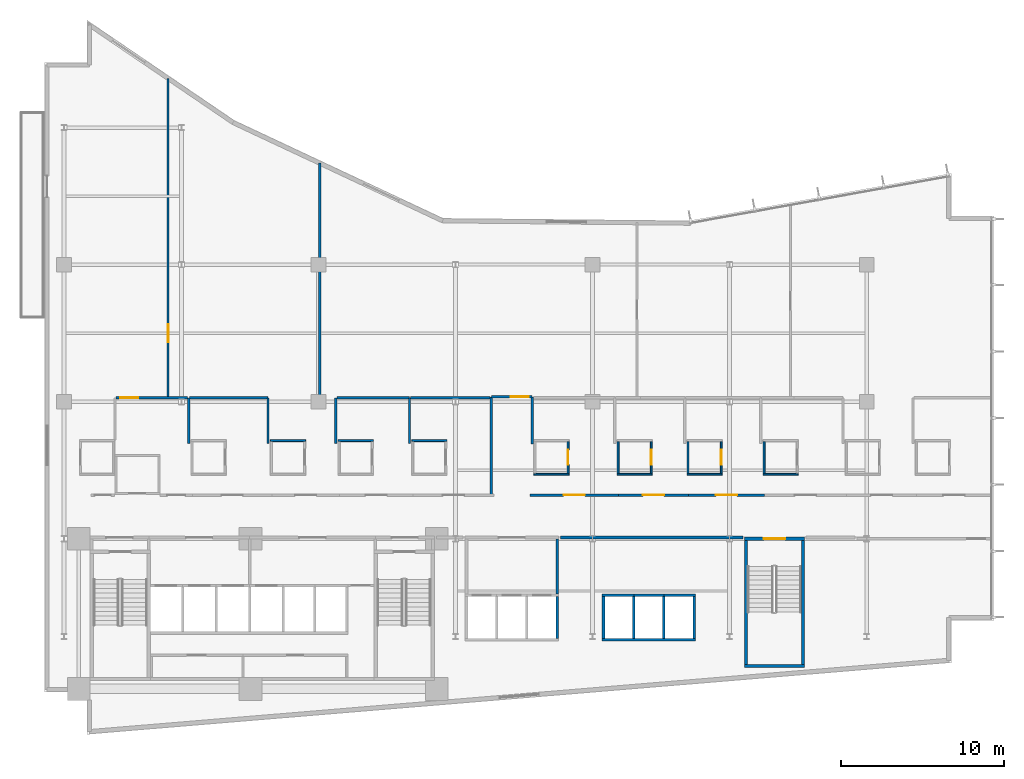
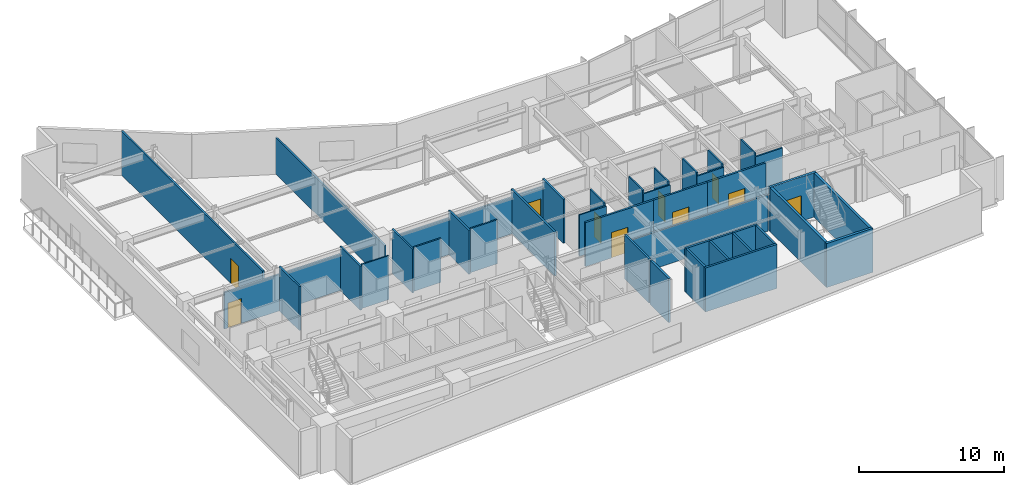
# One storey, part 14 of 21: 44 walls, 10 doors, 10 openings.
"""IFC4 building model written with IfcOpenShell, lengths in metres."""

from ifc_helpers import new_model, si_unit, direction, frame, frame_2d, origin, place, context, subcontext, project, spatial, rectangle, extrude, material, layer, layer_set, type_object, element, fill, save


model = new_model("IFC4")

# Units and contexts
model_context = context("Model", 3, precision=1e-05, world=origin(), true_north=direction((0.0, 1.0)))
body_context = subcontext(model_context, "Body", "Model", "MODEL_VIEW")
ifc_project = project(units=[si_unit("LENGTHUNIT", "METRE"), si_unit("AREAUNIT", "SQUARE_METRE"), si_unit("VOLUMEUNIT", "CUBIC_METRE"), si_unit("PLANEANGLEUNIT", "RADIAN"), si_unit("MASSUNIT", "GRAM", prefix="KILO")], contexts=[model_context])

# Site, building, storey
site_placement = place(None, origin())
site = spatial("IfcSite", under=ifc_project, at=site_placement, CompositionType="ELEMENT")
building_placement = place(site_placement, origin())
building = spatial("IfcBuilding", under=site, at=building_placement, Name="Varnakote Quay Hospital", CompositionType="ELEMENT")
storey_placement = place(building_placement, frame((0.0, 0.0, 34.35009765625)))
storey = spatial("IfcBuildingStorey", under=building, at=storey_placement, Name="L08", CompositionType="ELEMENT", Elevation=34.35009765625)

# Walls
ifc_material_1 = material(Name="Fire-rated acoustic gypsum stud wall", Category="gypsum")
ifc_layer_1 = layer(ifc_material_1, 0.159912109375)
ifc_layer_set_1 = layer_set([ifc_layer_1], Name="Fire-rated acoustic gypsum stud wall")
wall_type_1 = type_object("IfcWallType", Name="WL-COMP-160", PredefinedType="PARTITIONING", material=ifc_layer_set_1)
wall_1_placement = place(storey_placement, frame((31.429931640625, 8.610107421875, 0.0), z_axis=(0.0, 0.0, 1.0), x_axis=(0.0, 1.0, 0.0)))
element("IfcWall", 1, at=wall_1_placement, inside=storey, type_object=wall_type_1, Name="L08 Low-Rise Lift Lobby East Wall", PredefinedType="PARTITIONING", context=body_context, shape_type="SweptSolid", body=[
    extrude(rectangle(XDim=3.389892578125, YDim=0.159912109375, at=frame_2d((1.69482421875, 0.0))), origin(), (0.0, 0.0, 1.0), 3.7099609375),
])
wall_2_placement = place(storey_placement, frame((31.6298828125, 12.080078125, 0.0), z_axis=(0.0, 0.0, 1.0), x_axis=(1.0, 0.0, 0.0)))
element("IfcWall", 2, at=wall_2_placement, inside=storey, type_object=wall_type_1, Name="L08 Corridor South Gap Wall", PredefinedType="PARTITIONING", context=body_context, shape_type="SweptSolid", body=[
    extrude(rectangle(XDim=11.180908203125, YDim=0.159912109375, at=frame_2d((5.59033203125, 0.0))), origin(), (0.0, 0.0, 1.0), 3.072998046875),
])
ifc_material_2 = material(Name="Moisture-resistant bathroom partition", Category="gypsum")
ifc_layer_2 = layer(ifc_material_2, 0.114990234375)
ifc_layer_set_2 = layer_set([ifc_layer_2], Name="Moisture-resistant bathroom partition")
wall_type_2 = type_object("IfcWallType", Name="WL-ENS-115", PredefinedType="PARTITIONING", material=ifc_layer_set_2)
wall_3_placement = place(storey_placement, frame((13.85498046875, 18.017578125, 0.0), z_axis=(0.0, 0.0, 1.0), x_axis=(1.0, 0.0, 0.0)))
element("IfcWall", 3, at=wall_3_placement, inside=storey, type_object=wall_type_2, Name="L08 Inpatient En-Suite Bathroom 03 N Wall", PredefinedType="PARTITIONING", context=body_context, shape_type="SweptSolid", body=[
    extrude(rectangle(XDim=2.14990234375, YDim=0.114990234375, at=frame_2d((1.074951171875, 0.0))), origin(), (0.0, 0.0, 1.0), 3.7099609375),
])
for number, where, z_axis, x_axis, name in (
    (4, (18.0048828125, 18.017578125, 0.0), (0.0, 0.0, 1.0), (1.0, 0.0, 0.0), "L08 Inpatient En-Suite Bathroom 04 N Wall"),
    (5, (22.514892578125, 18.017578125, 0.0), (0.0, 0.0, 1.0), (1.0, 0.0, 0.0), "L08 Inpatient En-Suite Bathroom 05 N Wall"),
):
    element("IfcWall", number, at=place(storey_placement, frame(where, z_axis=z_axis, x_axis=x_axis)), inside=storey, type_object=wall_type_2, Name=name, PredefinedType="PARTITIONING", context=body_context, shape_type="SweptSolid", body=[
        extrude(rectangle(XDim=2.150146484375, YDim=0.114990234375, at=frame_2d((1.0751953125, 0.0))), origin(), (0.0, 0.0, 1.0), 3.7099609375),
    ])
wall_4_placement = place(storey_placement, frame((30.0048828125, 15.952392578125, 0.0), z_axis=(0.0, 0.0, 1.0), x_axis=(1.0, 0.0, 0.0)))
element("IfcWall", 6, at=wall_4_placement, inside=storey, type_object=wall_type_2, Name="L08 Inpatient En-Suite Bathroom 06 S Wall", PredefinedType="PARTITIONING", context=body_context, shape_type="SweptSolid", body=[
    extrude(rectangle(XDim=2.150146484375, YDim=0.114990234375, at=frame_2d((1.0751953125, 0.0))), origin(), (0.0, 0.0, 1.0), 3.477783203125),
])

# Wall, opening, door
wall_5_placement = place(storey_placement, frame((32.097412109375, 16.010009765625, 0.0), z_axis=(0.0, 0.0, 1.0), x_axis=(0.0, 1.0, 0.0)))
wall_5 = element("IfcWall", 7, at=wall_5_placement, inside=storey, type_object=wall_type_2, Name="L08 Inpatient En-Suite Bathroom 06 E Wall", PredefinedType="PARTITIONING", context=body_context, shape_type="SweptSolid", body=[
    extrude(rectangle(XDim=1.949951171875, YDim=0.114990234375, at=frame_2d((0.97509765625, 0.0))), origin(), (0.0, 0.0, 1.0), 3.7099609375),
])
opening_1_placement = place(wall_5_placement, frame((0.514892578125, 0.0, 0.0)))
opening_1 = element("IfcOpeningElement", 8, at=opening_1_placement, cuts=wall_5, Name="Opening D-L08-ENS06", PredefinedType="OPENING", context=body_context, shape_type="SweptSolid", body=[
    extrude(rectangle(XDim=0.919921875, YDim=2.10009765625, at=frame_2d((0.4599609375, 1.050048828125))), frame((0.0, 0.0673828125, 0.0), z_axis=(0.0, -1.0, 0.0), x_axis=(1.0, 0.0, 0.0)), (0.0, 0.0, 1.0), 0.135009765625),
])
ifc_material_3 = material(Name="Moisture-sealed en-suite bathroom door")
door_type_1 = type_object("IfcDoorType", Name="DR-ENS-920x2100", OperationType="NOTDEFINED", PredefinedType="DOOR", material=ifc_material_3)
door_1_placement = place(opening_1_placement, origin())
door_1 = element("IfcDoor", 9, at=door_1_placement, inside=storey, type_object=door_type_1, Name="L08 Inpatient En-Suite Bathroom 06 Door", OperationType="SINGLE_SWING_RIGHT", OverallHeight=2.10009765625, OverallWidth=0.919921875, PredefinedType="DOOR", context=body_context, shape_type="SweptSolid", body=[
    extrude(rectangle(XDim=0.919921875, YDim=2.10009765625, at=frame_2d((0.4599609375, 1.050048828125))), frame((0.0, 0.02490234375, 0.0), z_axis=(0.0, -1.0, 0.0), x_axis=(1.0, 0.0, 0.0)), (0.0, 0.0, 1.0), 0.050048828125),
])
fill(opening_1, door_1)

# Walls
wall_6_placement = place(storey_placement, frame((35.10498046875, 15.952392578125, 0.0), z_axis=(0.0, 0.0, 1.0), x_axis=(1.0, 0.0, 0.0)))
element("IfcWall", 10, at=wall_6_placement, inside=storey, type_object=wall_type_2, Name="L08 Inpatient En-Suite Bathroom 07 S Wall", PredefinedType="PARTITIONING", context=body_context, shape_type="SweptSolid", body=[
    extrude(rectangle(XDim=2.14990234375, YDim=0.114990234375, at=frame_2d((1.074951171875, 0.0))), origin(), (0.0, 0.0, 1.0), 3.477783203125),
])
wall_7_placement = place(storey_placement, frame((35.16259765625, 16.010009765625, 0.0), z_axis=(0.0, 0.0, 1.0), x_axis=(0.0, 1.0, 0.0)))
element("IfcWall", 11, at=wall_7_placement, inside=storey, type_object=wall_type_2, Name="L08 Inpatient En-Suite Bathroom 07 W Wall", PredefinedType="PARTITIONING", context=body_context, shape_type="SweptSolid", body=[
    extrude(rectangle(XDim=1.949951171875, YDim=0.114990234375, at=frame_2d((0.97509765625, 0.0))), origin(), (0.0, 0.0, 1.0), 3.7099609375),
])

# Wall, opening, door
wall_8_placement = place(storey_placement, frame((37.197509765625, 16.010009765625, 0.0), z_axis=(0.0, 0.0, 1.0), x_axis=(0.0, 1.0, 0.0)))
wall_8 = element("IfcWall", 12, at=wall_8_placement, inside=storey, type_object=wall_type_2, Name="L08 Inpatient En-Suite Bathroom 07 E Wall", PredefinedType="PARTITIONING", context=body_context, shape_type="SweptSolid", body=[
    extrude(rectangle(XDim=1.949951171875, YDim=0.114990234375, at=frame_2d((0.97509765625, 0.0))), origin(), (0.0, 0.0, 1.0), 3.7099609375),
])
opening_2_placement = place(wall_8_placement, frame((0.514892578125, 0.0, 0.0)))
opening_2 = element("IfcOpeningElement", 13, at=opening_2_placement, cuts=wall_8, Name="Opening D-L08-ENS07", PredefinedType="OPENING", context=body_context, shape_type="SweptSolid", body=[
    extrude(rectangle(XDim=0.919921875, YDim=2.10009765625, at=frame_2d((0.4599609375, 1.050048828125))), frame((0.0, 0.0673828125, 0.0), z_axis=(0.0, -1.0, 0.0), x_axis=(1.0, 0.0, 0.0)), (0.0, 0.0, 1.0), 0.135009765625),
])
door_2_placement = place(opening_2_placement, origin())
door_2 = element("IfcDoor", 14, at=door_2_placement, inside=storey, type_object=door_type_1, Name="L08 Inpatient En-Suite Bathroom 07 Door", OperationType="SINGLE_SWING_LEFT", OverallHeight=2.10009765625, OverallWidth=0.919921875, PredefinedType="DOOR", context=body_context, shape_type="SweptSolid", body=[
    extrude(rectangle(XDim=0.919921875, YDim=2.10009765625, at=frame_2d((0.4599609375, 1.050048828125))), frame((0.0, 0.02490234375, 0.0), z_axis=(0.0, -1.0, 0.0), x_axis=(1.0, 0.0, 0.0)), (0.0, 0.0, 1.0), 0.050048828125),
])
fill(opening_2, door_2)

# Walls
wall_9_placement = place(storey_placement, frame((39.39501953125, 15.952392578125, 0.0), z_axis=(0.0, 0.0, 1.0), x_axis=(1.0, 0.0, 0.0)))
element("IfcWall", 15, at=wall_9_placement, inside=storey, type_object=wall_type_2, Name="L08 Inpatient En-Suite Bathroom 08 S Wall", PredefinedType="PARTITIONING", context=body_context, shape_type="SweptSolid", body=[
    extrude(rectangle(XDim=2.14990234375, YDim=0.114990234375, at=frame_2d((1.074951171875, 0.0))), origin(), (0.0, 0.0, 1.0), 3.477783203125),
])
wall_10_placement = place(storey_placement, frame((39.452392578125, 16.010009765625, 0.0), z_axis=(0.0, 0.0, 1.0), x_axis=(0.0, 1.0, 0.0)))
element("IfcWall", 16, at=wall_10_placement, inside=storey, type_object=wall_type_2, Name="L08 Inpatient En-Suite Bathroom 08 W Wall", PredefinedType="PARTITIONING", context=body_context, shape_type="SweptSolid", body=[
    extrude(rectangle(XDim=1.949951171875, YDim=0.114990234375, at=frame_2d((0.97509765625, 0.0))), origin(), (0.0, 0.0, 1.0), 3.7099609375),
])

# Wall, opening, door
wall_11_placement = place(storey_placement, frame((41.487548828125, 16.010009765625, 0.0), z_axis=(0.0, 0.0, 1.0), x_axis=(0.0, 1.0, 0.0)))
wall_11 = element("IfcWall", 17, at=wall_11_placement, inside=storey, type_object=wall_type_2, Name="L08 Inpatient En-Suite Bathroom 08 E Wall", PredefinedType="PARTITIONING", context=body_context, shape_type="SweptSolid", body=[
    extrude(rectangle(XDim=1.949951171875, YDim=0.114990234375, at=frame_2d((0.97509765625, 0.0))), origin(), (0.0, 0.0, 1.0), 3.7099609375),
])
opening_3_placement = place(wall_11_placement, frame((0.514892578125, 0.0, 0.0)))
opening_3 = element("IfcOpeningElement", 18, at=opening_3_placement, cuts=wall_11, Name="Opening D-L08-ENS08", PredefinedType="OPENING", context=body_context, shape_type="SweptSolid", body=[
    extrude(rectangle(XDim=0.919921875, YDim=2.10009765625, at=frame_2d((0.4599609375, 1.050048828125))), frame((0.0, 0.0673828125, 0.0), z_axis=(0.0, -1.0, 0.0), x_axis=(1.0, 0.0, 0.0)), (0.0, 0.0, 1.0), 0.135009765625),
])
door_3_placement = place(opening_3_placement, origin())
door_3 = element("IfcDoor", 19, at=door_3_placement, inside=storey, type_object=door_type_1, Name="L08 Inpatient En-Suite Bathroom 08 Door", OperationType="SINGLE_SWING_RIGHT", OverallHeight=2.10009765625, OverallWidth=0.919921875, PredefinedType="DOOR", context=body_context, shape_type="SweptSolid", body=[
    extrude(rectangle(XDim=0.919921875, YDim=2.10009765625, at=frame_2d((0.4599609375, 1.050048828125))), frame((0.0, 0.02490234375, 0.0), z_axis=(0.0, -1.0, 0.0), x_axis=(1.0, 0.0, 0.0)), (0.0, 0.0, 1.0), 0.050048828125),
])
fill(opening_3, door_3)

# Walls
wall_12_placement = place(storey_placement, frame((44.054931640625, 15.952392578125, 0.0), z_axis=(0.0, 0.0, 1.0), x_axis=(1.0, 0.0, 0.0)))
element("IfcWall", 20, at=wall_12_placement, inside=storey, type_object=wall_type_2, Name="L08 Inpatient En-Suite Bathroom 09 S Wall", PredefinedType="PARTITIONING", context=body_context, shape_type="SweptSolid", body=[
    extrude(rectangle(XDim=2.150146484375, YDim=0.114990234375, at=frame_2d((1.0751953125, 0.0))), origin(), (0.0, 0.0, 1.0), 3.477783203125),
])
wall_13_placement = place(storey_placement, frame((44.112548828125, 16.010009765625, 0.0), z_axis=(0.0, 0.0, 1.0), x_axis=(0.0, 1.0, 0.0)))
element("IfcWall", 21, at=wall_13_placement, inside=storey, type_object=wall_type_2, Name="L08 Inpatient En-Suite Bathroom 09 W Wall", PredefinedType="PARTITIONING", context=body_context, shape_type="SweptSolid", body=[
    extrude(rectangle(XDim=1.949951171875, YDim=0.114990234375, at=frame_2d((0.97509765625, 0.0))), origin(), (0.0, 0.0, 1.0), 3.7099609375),
])
ifc_material_4 = material(Name="Concrete N50 (f'c 50 MPa)", Category="concrete")
ifc_layer_3 = layer(ifc_material_4, 0.14990234375)
ifc_layer_set_3 = layer_set([ifc_layer_3], Name="Concrete N50 (f'c 50 MPa)")
wall_type_3 = type_object("IfcWallType", Name="WL-SHAFT-N50-150", PredefinedType="SHEAR", material=ifc_layer_set_3)
for number, where, z_axis, x_axis, name in (
    (22, (36.125, 5.89990234375, 0.0), (0.0, 0.0, 1.0), (0.0, 1.0, 0.0), "L08 LF-PM1 Hoistway Divider Wall"),
    (23, (37.97509765625, 5.89990234375, 0.0), (0.0, 0.0, 1.0), (0.0, 1.0, 0.0), "L08 LF-PM2 Hoistway Divider Wall"),
):
    element("IfcWall", number, at=place(storey_placement, frame(where, z_axis=z_axis, x_axis=x_axis)), inside=storey, type_object=wall_type_3, Name=name, PredefinedType="SHEAR", context=body_context, shape_type="SweptSolid", body=[
        extrude(rectangle(XDim=2.550048828125, YDim=0.14990234375, at=frame_2d((1.27490234375, 0.0))), origin(), (0.0, 0.0, 1.0), 3.7099609375),
    ])
ifc_material_5 = material(Name="Concrete N50 (f'c 50 MPa)", Category="concrete")
ifc_layer_4 = layer(ifc_material_5, 0.159912109375)
ifc_layer_set_4 = layer_set([ifc_layer_4], Name="Concrete N50 (f'c 50 MPa)")
wall_type_4 = type_object("IfcWallType", Name="WL-SHAFT-N50-160", PredefinedType="SHEAR", material=ifc_layer_set_4)
wall_14_placement = place(storey_placement, frame((31.429931640625, 5.89990234375, 0.0), z_axis=(0.0, 0.0, 1.0), x_axis=(0.0, 1.0, 0.0)))
element("IfcWall", 24, at=wall_14_placement, inside=storey, type_object=wall_type_4, Name="L08 LOW Lift Bank East Shear Wall", PredefinedType="SHEAR", context=body_context, shape_type="SweptSolid", body=[
    extrude(rectangle(XDim=2.550048828125, YDim=0.159912109375, at=frame_2d((1.27490234375, 0.0))), origin(), (0.0, 0.0, 1.0), 3.7099609375),
])
wall_15_placement = place(storey_placement, frame((34.18994140625, 5.820068359375, 0.0), z_axis=(0.0, 0.0, 1.0), x_axis=(1.0, 0.0, 0.0)))
element("IfcWall", 25, at=wall_15_placement, inside=storey, type_object=wall_type_4, Name="L08 MID Lift Bank Back Shear Wall", PredefinedType="SHEAR", context=body_context, shape_type="SweptSolid", body=[
    extrude(rectangle(XDim=5.719970703125, YDim=0.159912109375, at=frame_2d((2.85986328125, 0.0))), origin(), (0.0, 0.0, 1.0), 3.7099609375),
])
for number, where, z_axis, x_axis, name in (
    (26, (34.27001953125, 5.89990234375, 0.0), (0.0, 0.0, 1.0), (0.0, 1.0, 0.0), "L08 MID Lift Bank West Shear Wall"),
    (27, (39.830078125, 5.89990234375, 0.0), (0.0, 0.0, 1.0), (0.0, 1.0, 0.0), "L08 MID Lift Bank East Shear Wall"),
):
    element("IfcWall", number, at=place(storey_placement, frame(where, z_axis=z_axis, x_axis=x_axis)), inside=storey, type_object=wall_type_4, Name=name, PredefinedType="SHEAR", context=body_context, shape_type="SweptSolid", body=[
        extrude(rectangle(XDim=2.550048828125, YDim=0.159912109375, at=frame_2d((1.27490234375, 0.0))), origin(), (0.0, 0.0, 1.0), 3.7099609375),
    ])
wall_16_placement = place(storey_placement, frame((34.18994140625, 8.530029296875, 0.0), z_axis=(0.0, 0.0, 1.0), x_axis=(1.0, 0.0, 0.0)))
element("IfcWall", 28, at=wall_16_placement, inside=storey, type_object=wall_type_4, Name="L08 LF-PM1 Hoistway Front Wall", PredefinedType="SHEAR", context=body_context, shape_type="SweptSolid", body=[
    extrude(rectangle(XDim=1.93505859375, YDim=0.159912109375, at=frame_2d((0.967529296875, 0.0))), origin(), (0.0, 0.0, 1.0), 3.7099609375),
])
wall_17_placement = place(storey_placement, frame((36.125, 8.530029296875, 0.0), z_axis=(0.0, 0.0, 1.0), x_axis=(1.0, 0.0, 0.0)))
element("IfcWall", 29, at=wall_17_placement, inside=storey, type_object=wall_type_4, Name="L08 LF-PM2 Hoistway Front Wall", PredefinedType="SHEAR", context=body_context, shape_type="SweptSolid", body=[
    extrude(rectangle(XDim=1.85009765625, YDim=0.159912109375, at=frame_2d((0.925048828125, 0.0))), origin(), (0.0, 0.0, 1.0), 3.7099609375),
])
wall_18_placement = place(storey_placement, frame((37.97509765625, 8.530029296875, 0.0), z_axis=(0.0, 0.0, 1.0), x_axis=(1.0, 0.0, 0.0)))
element("IfcWall", 30, at=wall_18_placement, inside=storey, type_object=wall_type_4, Name="L08 LF-PM3 Hoistway Front Wall", PredefinedType="SHEAR", context=body_context, shape_type="SweptSolid", body=[
    extrude(rectangle(XDim=1.934814453125, YDim=0.159912109375, at=frame_2d((0.96728515625, 0.0))), origin(), (0.0, 0.0, 1.0), 3.7099609375),
])
ifc_material_6 = material(Name="Concrete N50 (f'c 50 MPa)", Category="concrete")
ifc_layer_5 = layer(ifc_material_6, 0.199951171875)
ifc_layer_set_5 = layer_set([ifc_layer_5], Name="Concrete N50 (f'c 50 MPa)")
wall_type_5 = type_object("IfcWallType", Name="WL-SHAFT-N50-200", PredefinedType="SHEAR", material=ifc_layer_set_5)
wall_19_placement = place(storey_placement, frame((42.89990234375, 4.199951171875, 0.0), z_axis=(0.0, 0.0, 1.0), x_axis=(1.0, 0.0, 0.0)))
element("IfcWall", 31, at=wall_19_placement, inside=storey, type_object=wall_type_5, Name="L08 Stair ST3 South Shaft Wall", PredefinedType="SHEAR", context=body_context, shape_type="SweptSolid", body=[
    extrude(rectangle(XDim=3.7001953125, YDim=0.199951171875, at=frame_2d((1.85009765625, 0.0))), origin(), (0.0, 0.0, 1.0), 3.7099609375),
])
for number, where, z_axis, x_axis, name in (
    (32, (43.0, 4.300048828125, 0.0), (0.0, 0.0, 1.0), (0.0, 1.0, 0.0), "L08 Stair ST3 West Shaft Wall"),
    (33, (46.5, 4.300048828125, 0.0), (0.0, 0.0, 1.0), (0.0, 1.0, 0.0), "L08 Stair ST3 East Shaft Wall"),
):
    element("IfcWall", number, at=place(storey_placement, frame(where, z_axis=z_axis, x_axis=x_axis)), inside=storey, type_object=wall_type_5, Name=name, PredefinedType="SHEAR", context=body_context, shape_type="SweptSolid", body=[
        extrude(rectangle(XDim=7.599853515625, YDim=0.199951171875, at=frame_2d((3.7998046875, 0.0))), origin(), (0.0, 0.0, 1.0), 3.7099609375),
    ])

# Wall, opening, door
wall_20_placement = place(storey_placement, frame((42.89990234375, 12.0, 0.0), z_axis=(0.0, 0.0, 1.0), x_axis=(1.0, 0.0, 0.0)))
wall_20 = element("IfcWall", 34, at=wall_20_placement, inside=storey, type_object=wall_type_5, Name="L08 Stair ST3 Exit Wall", PredefinedType="SHEAR", context=body_context, shape_type="SweptSolid", body=[
    extrude(rectangle(XDim=3.7001953125, YDim=0.199951171875, at=frame_2d((1.85009765625, 0.0))), origin(), (0.0, 0.0, 1.0), 3.7099609375),
])
opening_4_placement = place(wall_20_placement, frame((1.199951171875, 0.0, 0.0)))
opening_4 = element("IfcOpeningElement", 35, at=opening_4_placement, cuts=wall_20, Name="Opening D-ST3-L08", PredefinedType="OPENING", context=body_context, shape_type="SweptSolid", body=[
    extrude(rectangle(XDim=1.300048828125, YDim=2.14990234375, at=frame_2d((0.64990234375, 1.074951171875))), frame((0.0, 0.10986328125, 0.0), z_axis=(0.0, -1.0, 0.0), x_axis=(1.0, 0.0, 0.0)), (0.0, 0.0, 1.0), 0.219970703125),
])
ifc_material_7 = material(Name="Fire-rated ceramic-glazed timber exit door", Category="wood")
door_type_2 = type_object("IfcDoorType", Name="DR-STAIR-FD60S-1300x2150", OperationType="NOTDEFINED", PredefinedType="DOOR", material=ifc_material_7)
door_4_placement = place(opening_4_placement, origin())
door_4 = element("IfcDoor", 36, at=door_4_placement, inside=storey, type_object=door_type_2, Name="L08 Stair ST3 Fire Exit Door", OperationType="SINGLE_SWING_RIGHT", OverallHeight=2.14990234375, OverallWidth=1.300048828125, PredefinedType="DOOR", context=body_context, shape_type="SweptSolid", body=[
    extrude(rectangle(XDim=1.300048828125, YDim=2.14990234375, at=frame_2d((0.64990234375, 1.074951171875))), frame((0.0, 0.02490234375, 0.0), z_axis=(0.0, -1.0, 0.0), x_axis=(1.0, 0.0, 0.0)), (0.0, 0.0, 1.0), 0.050048828125),
])
fill(opening_4, door_4)

# Wall
ifc_material_8 = material(Name="Smoke-proof clinical partition", Category="gypsum")
ifc_layer_6 = layer(ifc_material_8, 0.135009765625)
ifc_layer_set_6 = layer_set([ifc_layer_6], Name="Smoke-proof clinical partition")
wall_type_6 = type_object("IfcWallType", Name="WL-SMOKE-135", PredefinedType="PARTITIONING", material=ifc_layer_set_6)
wall_21_placement = place(storey_placement, frame((8.840087890625, 17.83251953125, 0.0), z_axis=(0.0, 0.0, 1.0), x_axis=(0.0, 1.0, 0.0)))
element("IfcWall", 37, at=wall_21_placement, inside=storey, type_object=wall_type_6, Name="L08 Clinical Interior Partition", PredefinedType="PARTITIONING", context=body_context, shape_type="SweptSolid", body=[
    extrude(rectangle(XDim=2.807373046875, YDim=0.135009765625, at=frame_2d((1.40380859375, 0.0))), origin(), (0.0, 0.0, 1.0), 3.7099609375),
])

# Wall, opening, door
wall_22_placement = place(storey_placement, frame((8.782470703125, 20.639892578125, 0.0), z_axis=(0.0, 0.0, 1.0), x_axis=(-1.0, 0.0, 0.0)))
wall_22 = element("IfcWall", 38, at=wall_22_placement, inside=storey, type_object=wall_type_6, Name="L08 Clinical Interior Partition", PredefinedType="PARTITIONING", context=body_context, shape_type="SweptSolid", body=[
    extrude(rectangle(XDim=4.39501953125, YDim=0.135009765625, at=frame_2d((2.197509765625, 0.0))), origin(), (0.0, 0.0, 1.0), 3.072998046875),
])
opening_5_placement = place(wall_22_placement, frame((3.022705078125, 0.0, 0.0)))
opening_5 = element("IfcOpeningElement", 39, at=opening_5_placement, cuts=wall_22, Name="Opening D-L08-DLNG", PredefinedType="OPENING", context=body_context, shape_type="SweptSolid", body=[
    extrude(rectangle(XDim=1.10009765625, YDim=2.10009765625, at=frame_2d((0.550048828125, 1.050048828125))), frame((0.0, 0.077392578125, 0.0), z_axis=(0.0, -1.0, 0.0), x_axis=(1.0, 0.0, 0.0)), (0.0, 0.0, 1.0), 0.155029296875),
])
ifc_material_9 = material(Name="Acoustic timber clinical consult door", Category="wood")
door_type_3 = type_object("IfcDoorType", Name="DR-CLIN-FD30S-1100x2100", OperationType="NOTDEFINED", PredefinedType="DOOR", material=ifc_material_9)
door_5_placement = place(opening_5_placement, origin())
door_5 = element("IfcDoor", 40, at=door_5_placement, inside=storey, type_object=door_type_3, Name="L08 Waterfront Patient & Family Dayroom Door", OperationType="SINGLE_SWING_RIGHT", OverallHeight=2.10009765625, OverallWidth=1.10009765625, PredefinedType="DOOR", context=body_context, shape_type="SweptSolid", body=[
    extrude(rectangle(XDim=1.10009765625, YDim=2.10009765625, at=frame_2d((0.550048828125, 1.050048828125))), frame((0.0, 0.02490234375, 0.0), z_axis=(0.0, -1.0, 0.0), x_axis=(1.0, 0.0, 0.0)), (0.0, 0.0, 1.0), 0.050048828125),
])
fill(opening_5, door_5)

# Walls
wall_23_placement = place(storey_placement, frame((13.7099609375, 17.83251953125, 0.0), z_axis=(0.0, 0.0, 1.0), x_axis=(0.0, 1.0, 0.0)))
element("IfcWall", 41, at=wall_23_placement, inside=storey, type_object=wall_type_6, Name="L08 Clinical Interior Partition", PredefinedType="PARTITIONING", context=body_context, shape_type="SweptSolid", body=[
    extrude(rectangle(XDim=2.807373046875, YDim=0.135009765625, at=frame_2d((1.40380859375, 0.0))), origin(), (0.0, 0.0, 1.0), 3.7099609375),
])
wall_24_placement = place(storey_placement, frame((13.7099609375, 20.639892578125, 0.0), z_axis=(0.0, 0.0, 1.0), x_axis=(-1.0, 0.0, 0.0)))
element("IfcWall", 42, at=wall_24_placement, inside=storey, type_object=wall_type_6, Name="L08 Clinical Interior Partition", PredefinedType="PARTITIONING", context=body_context, shape_type="SweptSolid", body=[
    extrude(rectangle(XDim=4.8125, YDim=0.135009765625, at=frame_2d((2.40625, 0.0))), origin(), (0.0, 0.0, 1.0), 3.072998046875),
])
for number, where, z_axis, x_axis, name in (
    (43, (17.860107421875, 17.83251953125, 0.0), (0.0, 0.0, 1.0), (0.0, 1.0, 0.0), "L08 Clinical Interior Partition"),
    (44, (22.3701171875, 17.83251953125, 0.0), (0.0, 0.0, 1.0), (0.0, 1.0, 0.0), "L08 Clinical Interior Partition"),
):
    element("IfcWall", number, at=place(storey_placement, frame(where, z_axis=z_axis, x_axis=x_axis)), inside=storey, type_object=wall_type_6, Name=name, PredefinedType="PARTITIONING", context=body_context, shape_type="SweptSolid", body=[
        extrude(rectangle(XDim=2.807373046875, YDim=0.135009765625, at=frame_2d((1.40380859375, 0.0))), origin(), (0.0, 0.0, 1.0), 3.7099609375),
    ])
wall_25_placement = place(storey_placement, frame((22.3701171875, 20.639892578125, 0.0), z_axis=(0.0, 0.0, 1.0), x_axis=(-1.0, 0.0, 0.0)))
element("IfcWall", 45, at=wall_25_placement, inside=storey, type_object=wall_type_6, Name="L08 Clinical Interior Partition", PredefinedType="PARTITIONING", context=body_context, shape_type="SweptSolid", body=[
    extrude(rectangle(XDim=4.45263671875, YDim=0.135009765625, at=frame_2d((2.226318359375, 0.0))), origin(), (0.0, 0.0, 1.0), 3.072998046875),
])
wall_26_placement = place(storey_placement, frame((27.320068359375, 20.639892578125, 0.0), z_axis=(0.0, 0.0, 1.0), x_axis=(-1.0, 0.0, 0.0)))
element("IfcWall", 46, at=wall_26_placement, inside=storey, type_object=wall_type_6, Name="L08 Clinical Interior Partition", PredefinedType="PARTITIONING", context=body_context, shape_type="SweptSolid", body=[
    extrude(rectangle(XDim=4.892578125, YDim=0.135009765625, at=frame_2d((2.4462890625, 0.0))), origin(), (0.0, 0.0, 1.0), 3.072998046875),
])

# Wall, opening, door
wall_27_placement = place(storey_placement, frame((7.580078125, 20.697509765625, 0.0), z_axis=(0.0, 0.0, 1.0), x_axis=(0.0, 1.0, 0.0)))
wall_27 = element("IfcWall", 47, at=wall_27_placement, inside=storey, type_object=wall_type_6, Name="L08 Clinical Interior Partition", PredefinedType="PARTITIONING", context=body_context, shape_type="SweptSolid", body=[
    extrude(rectangle(XDim=19.5244140625, YDim=0.135009765625, at=frame_2d((9.76220703125, 0.0))), origin(), (0.0, 0.0, 1.0), 3.7099609375),
])
opening_6_placement = place(wall_27_placement, frame((3.354248046875, 0.0, 0.0)))
opening_6 = element("IfcOpeningElement", 48, at=opening_6_placement, cuts=wall_27, Name="Opening D-L08-WPNT", PredefinedType="OPENING", context=body_context, shape_type="SweptSolid", body=[
    extrude(rectangle(XDim=1.10009765625, YDim=2.10009765625, at=frame_2d((0.550048828125, 1.050048828125))), frame((0.0, 0.077392578125, 0.0), z_axis=(0.0, -1.0, 0.0), x_axis=(1.0, 0.0, 0.0)), (0.0, 0.0, 1.0), 0.155029296875),
])
door_6_placement = place(opening_6_placement, origin())
door_6 = element("IfcDoor", 49, at=door_6_placement, inside=storey, type_object=door_type_3, Name="L08 Ward Clinical Nutrition Pantry Door", OperationType="SINGLE_SWING_LEFT", OverallHeight=2.10009765625, OverallWidth=1.10009765625, PredefinedType="DOOR", context=body_context, shape_type="SweptSolid", body=[
    extrude(rectangle(XDim=1.10009765625, YDim=2.10009765625, at=frame_2d((0.550048828125, 1.050048828125))), frame((0.0, 0.02490234375, 0.0), z_axis=(0.0, -1.0, 0.0), x_axis=(1.0, 0.0, 0.0)), (0.0, 0.0, 1.0), 0.050048828125),
])
fill(opening_6, door_6)

# Wall
wall_28_placement = place(storey_placement, frame((16.8701171875, 19.949951171875, 0.0), z_axis=(0.0, 0.0, 1.0), x_axis=(0.0, 1.0, 0.0)))
element("IfcWall", 50, at=wall_28_placement, inside=storey, type_object=wall_type_6, Name="L08 Clinical Interior Partition", PredefinedType="PARTITIONING", context=body_context, shape_type="SweptSolid", body=[
    extrude(rectangle(XDim=15.076904296875, YDim=0.135009765625, at=frame_2d((7.53857421875, 0.0))), origin(), (0.0, 0.0, 1.0), 3.072998046875),
])

# Wall, opening, door
ifc_material_10 = material(Name="Fire-rated clinical gypsum partition", Category="gypsum")
ifc_layer_7 = layer(ifc_material_10, 0.14990234375)
ifc_layer_set_7 = layer_set([ifc_layer_7], Name="Fire-rated clinical gypsum partition")
wall_type_7 = type_object("IfcWallType", Name="WL-WARD-150", PredefinedType="PARTITIONING", material=ifc_layer_set_7)
wall_29_placement = place(storey_placement, frame((35.18603515625, 14.679931640625, 0.0), z_axis=(0.0, 0.0, 1.0), x_axis=(-1.0, 0.0, 0.0)))
wall_29 = element("IfcWall", 51, at=wall_29_placement, inside=storey, type_object=wall_type_7, Name="L08 Clinical Interior Partition", PredefinedType="PARTITIONING", context=body_context, shape_type="SweptSolid", body=[
    extrude(rectangle(XDim=5.43212890625, YDim=0.14990234375, at=frame_2d((2.716064453125, 0.0))), origin(), (0.0, 0.0, 1.0), 3.7099609375),
])
opening_7_placement = place(wall_29_placement, frame((2.06591796875, 0.0, 0.0)))
opening_7 = element("IfcOpeningElement", 52, at=opening_7_placement, cuts=wall_29, Name="Opening D-L08-BR06", PredefinedType="OPENING", context=body_context, shape_type="SweptSolid", body=[
    extrude(rectangle(XDim=1.300048828125, YDim=2.14990234375, at=frame_2d((0.64990234375, 1.074951171875))), frame((0.0, 0.0849609375, 0.0), z_axis=(0.0, -1.0, 0.0), x_axis=(1.0, 0.0, 0.0)), (0.0, 0.0, 1.0), 0.169921875),
])
ifc_material_11 = material(Name="Solid-core timber clinical bed door", Category="wood")
door_type_4 = type_object("IfcDoorType", Name="DR-WARD-FD30S-1300x2150", OperationType="NOTDEFINED", PredefinedType="DOOR", material=ifc_material_11)
door_7_placement = place(opening_7_placement, origin())
door_7 = element("IfcDoor", 53, at=door_7_placement, inside=storey, type_object=door_type_4, Name="L08 Resident Care Bedroom 06 Door", OperationType="SINGLE_SWING_LEFT", OverallHeight=2.14990234375, OverallWidth=1.300048828125, PredefinedType="DOOR", context=body_context, shape_type="SweptSolid", body=[
    extrude(rectangle(XDim=1.300048828125, YDim=2.14990234375, at=frame_2d((0.64990234375, 1.074951171875))), frame((0.0, 0.02490234375, 0.0), z_axis=(0.0, -1.0, 0.0), x_axis=(1.0, 0.0, 0.0)), (0.0, 0.0, 1.0), 0.050048828125),
])
fill(opening_7, door_7)

wall_30_placement = place(storey_placement, frame((39.47607421875, 14.679931640625, 0.0), z_axis=(0.0, 0.0, 1.0), x_axis=(-1.0, 0.0, 0.0)))
wall_30 = element("IfcWall", 54, at=wall_30_placement, inside=storey, type_object=wall_type_7, Name="L08 Clinical Interior Partition", PredefinedType="PARTITIONING", context=body_context, shape_type="SweptSolid", body=[
    extrude(rectangle(XDim=4.2880859375, YDim=0.14990234375, at=frame_2d((2.14404296875, 0.0))), origin(), (0.0, 0.0, 1.0), 3.7099609375),
])
opening_8_placement = place(wall_30_placement, frame((1.493896484375, 0.0, 0.0)))
opening_8 = element("IfcOpeningElement", 55, at=opening_8_placement, cuts=wall_30, Name="Opening D-L08-BR07", PredefinedType="OPENING", context=body_context, shape_type="SweptSolid", body=[
    extrude(rectangle(XDim=1.300048828125, YDim=2.14990234375, at=frame_2d((0.64990234375, 1.074951171875))), frame((0.0, 0.0849609375, 0.0), z_axis=(0.0, -1.0, 0.0), x_axis=(1.0, 0.0, 0.0)), (0.0, 0.0, 1.0), 0.169921875),
])
door_8_placement = place(opening_8_placement, origin())
door_8 = element("IfcDoor", 56, at=door_8_placement, inside=storey, type_object=door_type_4, Name="L08 Resident Care Bedroom 07 Door", OperationType="SINGLE_SWING_RIGHT", OverallHeight=2.14990234375, OverallWidth=1.300048828125, PredefinedType="DOOR", context=body_context, shape_type="SweptSolid", body=[
    extrude(rectangle(XDim=1.300048828125, YDim=2.14990234375, at=frame_2d((0.64990234375, 1.074951171875))), frame((0.0, 0.02490234375, 0.0), z_axis=(0.0, -1.0, 0.0), x_axis=(1.0, 0.0, 0.0)), (0.0, 0.0, 1.0), 0.050048828125),
])
fill(opening_8, door_8)

wall_31_placement = place(storey_placement, frame((44.135986328125, 14.679931640625, 0.0), z_axis=(0.0, 0.0, 1.0), x_axis=(-1.0, 0.0, 0.0)))
wall_31 = element("IfcWall", 57, at=wall_31_placement, inside=storey, type_object=wall_type_7, Name="L08 Clinical Interior Partition", PredefinedType="PARTITIONING", context=body_context, shape_type="SweptSolid", body=[
    extrude(rectangle(XDim=4.657958984375, YDim=0.14990234375, at=frame_2d((2.3291015625, 0.0))), origin(), (0.0, 0.0, 1.0), 3.7099609375),
])
opening_9_placement = place(wall_31_placement, frame((1.678955078125, 0.0, 0.0)))
opening_9 = element("IfcOpeningElement", 58, at=opening_9_placement, cuts=wall_31, Name="Opening D-L08-BR08", PredefinedType="OPENING", context=body_context, shape_type="SweptSolid", body=[
    extrude(rectangle(XDim=1.300048828125, YDim=2.14990234375, at=frame_2d((0.64990234375, 1.074951171875))), frame((0.0, 0.0849609375, 0.0), z_axis=(0.0, -1.0, 0.0), x_axis=(1.0, 0.0, 0.0)), (0.0, 0.0, 1.0), 0.169921875),
])
door_9_placement = place(opening_9_placement, origin())
door_9 = element("IfcDoor", 59, at=door_9_placement, inside=storey, type_object=door_type_4, Name="L08 Resident Care Bedroom 08 Door", OperationType="SINGLE_SWING_LEFT", OverallHeight=2.14990234375, OverallWidth=1.300048828125, PredefinedType="DOOR", context=body_context, shape_type="SweptSolid", body=[
    extrude(rectangle(XDim=1.300048828125, YDim=2.14990234375, at=frame_2d((0.64990234375, 1.074951171875))), frame((0.0, 0.02490234375, 0.0), z_axis=(0.0, -1.0, 0.0), x_axis=(1.0, 0.0, 0.0)), (0.0, 0.0, 1.0), 0.050048828125),
])
fill(opening_9, door_9)

# Walls
wall_32_placement = place(storey_placement, frame((27.39990234375, 20.699951171875, 0.0), z_axis=(0.0, 0.0, 1.0), x_axis=(0.0, -1.0, 0.0)))
element("IfcWall", 60, at=wall_32_placement, inside=storey, type_object=wall_type_7, Name="L08 Clinical Interior Partition", PredefinedType="PARTITIONING", context=body_context, shape_type="SweptSolid", body=[
    extrude(rectangle(XDim=6.0, YDim=0.14990234375, at=frame_2d((3.0, 0.0))), origin(), (0.0, 0.0, 1.0), 3.7099609375),
])
wall_33_placement = place(storey_placement, frame((29.89990234375, 17.81396484375, 0.0), z_axis=(0.0, 0.0, 1.0), x_axis=(0.0, 1.0, 0.0)))
element("IfcWall", 61, at=wall_33_placement, inside=storey, type_object=wall_type_7, Name="L08 Clinical Interior Partition", PredefinedType="PARTITIONING", context=body_context, shape_type="SweptSolid", body=[
    extrude(rectangle(XDim=2.885986328125, YDim=0.14990234375, at=frame_2d((1.44287109375, 0.0))), origin(), (0.0, 0.0, 1.0), 3.7099609375),
])

# Wall, opening, door
wall_34_placement = place(storey_placement, frame((29.89990234375, 20.699951171875, 0.0), z_axis=(0.0, 0.0, 1.0), x_axis=(-1.0, 0.0, 0.0)))
wall_34 = element("IfcWall", 62, at=wall_34_placement, inside=storey, type_object=wall_type_7, Name="L08 Clinical Interior Partition", PredefinedType="PARTITIONING", context=body_context, shape_type="SweptSolid", body=[
    extrude(rectangle(XDim=2.5, YDim=0.14990234375, at=frame_2d((1.25, 0.0))), origin(), (0.0, 0.0, 1.0), 3.072998046875),
])
opening_10_placement = place(wall_34_placement, frame((0.22509765625, 0.0, 0.0)))
opening_10 = element("IfcOpeningElement", 63, at=opening_10_placement, cuts=wall_34, Name="Opening D-L08-MD02", PredefinedType="OPENING", context=body_context, shape_type="SweptSolid", body=[
    extrude(rectangle(XDim=1.10009765625, YDim=2.10009765625, at=frame_2d((0.550048828125, 1.050048828125))), frame((0.0, 0.0849609375, 0.0), z_axis=(0.0, -1.0, 0.0), x_axis=(1.0, 0.0, 0.0)), (0.0, 0.0, 1.0), 0.169921875),
])
door_10_placement = place(opening_10_placement, origin())
door_10 = element("IfcDoor", 64, at=door_10_placement, inside=storey, type_object=door_type_3, Name="L08 Clinical Governance Office Door", OperationType="SINGLE_SWING_LEFT", OverallHeight=2.10009765625, OverallWidth=1.10009765625, PredefinedType="DOOR", context=body_context, shape_type="SweptSolid", body=[
    extrude(rectangle(XDim=1.10009765625, YDim=2.10009765625, at=frame_2d((0.550048828125, 1.050048828125))), frame((0.0, 0.02490234375, 0.0), z_axis=(0.0, -1.0, 0.0), x_axis=(1.0, 0.0, 0.0)), (0.0, 0.0, 1.0), 0.050048828125),
])
fill(opening_10, door_10)

save(model, "model.ifc")
